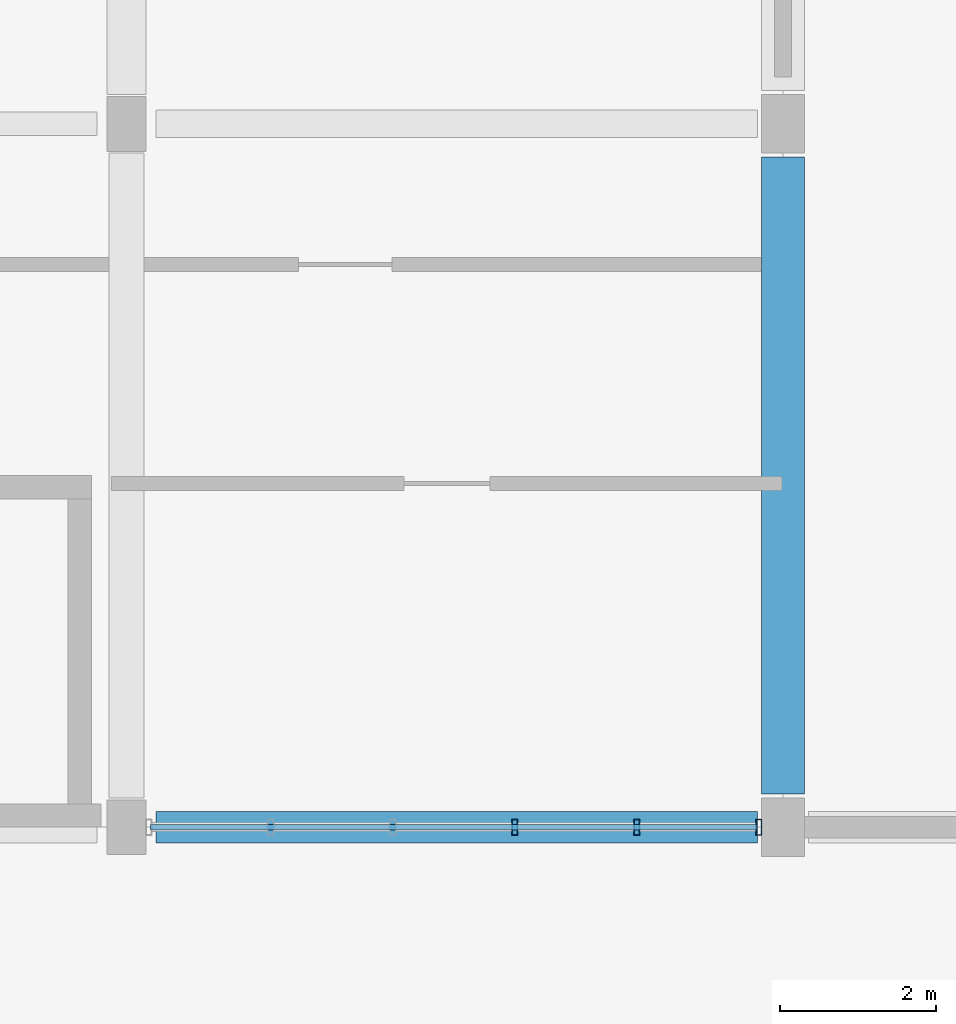
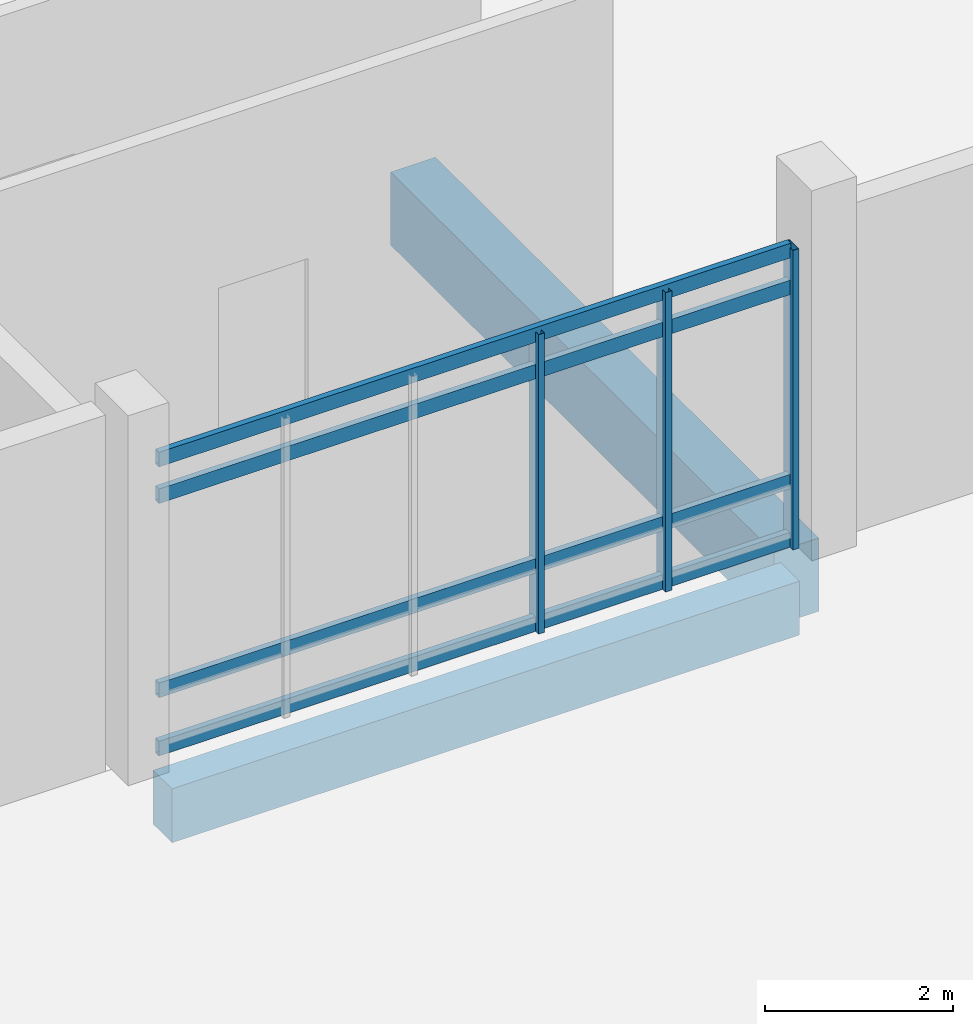
# One storey, part 60 of 95: 7 members, 2 beams, 1 element without a shape of its own.
"""IFC4 building model written with IfcOpenShell, lengths in metres."""

from ifc_helpers import new_model, si_unit, direction, frame, origin, origin_2d, place, context, subcontext, project, spatial, rectangle, hollow_rectangle, extrude, material, layer, layer_set, material_profile, profile_set, type_object, element, aggregate, save


model = new_model("IFC4")

# Units and contexts
model_context = context("Model", 3, precision=1e-05, world=origin(), true_north=direction((0.0, 1.0)))
body_context = subcontext(model_context, "Body", "Model", "MODEL_VIEW")
ifc_project = project(units=[si_unit("LENGTHUNIT", "METRE"), si_unit("AREAUNIT", "SQUARE_METRE"), si_unit("VOLUMEUNIT", "CUBIC_METRE"), si_unit("PLANEANGLEUNIT", "RADIAN"), si_unit("MASSUNIT", "GRAM", prefix="KILO")], contexts=[model_context])

# Site, building, storey
site_placement = place(None, origin())
site = spatial("IfcSite", under=ifc_project, at=site_placement, CompositionType="ELEMENT")
building_placement = place(site_placement, origin())
building = spatial("IfcBuilding", under=site, at=building_placement, Name="Vireocrest Preparatory School", CompositionType="ELEMENT")
storey_placement = place(building_placement, origin())
storey = spatial("IfcBuildingStorey", under=building, at=storey_placement, Name="L00", CompositionType="ELEMENT", Elevation=0.0)

# Curtain wall, members
ifc_material_1 = material(Name="Thermally broken aluminium EN AW-6063-T6", Category="aluminium")
ifc_layer = layer(ifc_material_1, 0.179931640625)
ifc_layer_set = layer_set([ifc_layer], Name="Thermally broken aluminium EN AW-6063-T6")
curtain_wall_type = type_object("IfcCurtainWallType", Name="Botanical Lab Glazing 8400x3400", PredefinedType="USERDEFINED", material=ifc_layer_set)
curtain_wall_placement = place(storey_placement, origin())
curtain_wall = element("IfcCurtainWall", 1, at=curtain_wall_placement, inside=storey, type_object=curtain_wall_type, Name="Curtain Wall CW15 CW_L00_CW15_1346_0180_000", ObjectType="CURTAIN WALL", PredefinedType="USERDEFINED")
ifc_material_profile_1 = material_profile(ifc_material_1, hollow_rectangle(XDim=0.074951171875, YDim=0.199951171875, WallThickness=0.0048828125, at=origin_2d()), Name="ALU 75x200x5")
ifc_profile_set_1 = profile_set([ifc_material_profile_1], Name="Thermally broken aluminium EN AW-6063-T6")
member_type_1 = type_object("IfcMemberType", Name="CW Mullion 75x200x5", PredefinedType="MULLION", material=ifc_profile_set_1)
member_1_placement = place(storey_placement, frame((139.367919921875, 18.0, 0.0), z_axis=(0.0, 0.0, 1.0), x_axis=(1.0, 0.0, 0.0)))
member_1 = element("IfcMember", 2, at=member_1_placement, type_object=member_type_1, Name="CW Mullion ML3 CW_L00_CW15_1346_0180_000-4", PredefinedType="MULLION", context=body_context, shape_type="SweptSolid", body=[
    extrude(hollow_rectangle(XDim=0.074951171875, YDim=0.199951171875, WallThickness=0.0048828125, at=origin_2d()), origin(), (0.0, 0.0, 1.0), 3.885009765625),
])
member_2_placement = place(storey_placement, frame((140.928955078125, 18.0, 0.0), z_axis=(0.0, 0.0, 1.0), x_axis=(1.0, 0.0, 0.0)))
member_2 = element("IfcMember", 3, at=member_2_placement, type_object=member_type_1, Name="CW Mullion ML3 CW_L00_CW15_1346_0180_000-5", PredefinedType="MULLION", context=body_context, shape_type="SweptSolid", body=[
    extrude(hollow_rectangle(XDim=0.074951171875, YDim=0.199951171875, WallThickness=0.0048828125, at=origin_2d()), origin(), (0.0, 0.0, 1.0), 3.885009765625),
])
member_3_placement = place(storey_placement, frame((142.489990234375, 18.0, 0.0), z_axis=(0.0, 0.0, 1.0), x_axis=(1.0, 0.0, 0.0)))
member_3 = element("IfcMember", 4, at=member_3_placement, type_object=member_type_1, Name="CW Mullion ML3 CW_L00_CW15_1346_0180_000-6", PredefinedType="MULLION", context=body_context, shape_type="SweptSolid", body=[
    extrude(hollow_rectangle(XDim=0.074951171875, YDim=0.199951171875, WallThickness=0.0048828125, at=origin_2d()), origin(), (0.0, 0.0, 1.0), 3.885009765625),
])
ifc_material_profile_2 = material_profile(ifc_material_1, hollow_rectangle(XDim=0.074951171875, YDim=0.18994140625, WallThickness=0.00390625, at=origin_2d()), Name="ALU 75x190x4")
ifc_profile_set_2 = profile_set([ifc_material_profile_2], Name="Thermally broken aluminium EN AW-6063-T6")
member_type_2 = type_object("IfcMemberType", Name="CW Transom 75x190x4", PredefinedType="USERDEFINED", material=ifc_profile_set_2)
member_4_placement = place(storey_placement, frame((134.7099609375, 18.0, 0.094970703125), z_axis=(1.0, 0.0, 0.0), x_axis=(0.0, 1.0, 0.0)))
member_4 = element("IfcMember", 5, at=member_4_placement, type_object=member_type_2, Name="CW Transom TR3 CW_L00_CW15_1346_0180_000-1", ObjectType="TRANSOM", PredefinedType="USERDEFINED", context=body_context, shape_type="SweptSolid", body=[
    extrude(hollow_rectangle(XDim=0.074951171875, YDim=0.18994140625, WallThickness=0.00390625, at=origin_2d()), origin(), (0.0, 0.0, 1.0), 7.755126953125),
])
member_5_placement = place(storey_placement, frame((134.7099609375, 18.0, 0.85009765625), z_axis=(1.0, 0.0, 0.0), x_axis=(0.0, 1.0, 0.0)))
member_5 = element("IfcMember", 6, at=member_5_placement, type_object=member_type_2, Name="CW Transom TR3 CW_L00_CW15_1346_0180_000-2", ObjectType="TRANSOM", PredefinedType="USERDEFINED", context=body_context, shape_type="SweptSolid", body=[
    extrude(hollow_rectangle(XDim=0.074951171875, YDim=0.18994140625, WallThickness=0.00390625, at=origin_2d()), origin(), (0.0, 0.0, 1.0), 7.755126953125),
])
member_6_placement = place(storey_placement, frame((134.7099609375, 18.0, 3.3701171875), z_axis=(1.0, 0.0, 0.0), x_axis=(0.0, 1.0, 0.0)))
member_6 = element("IfcMember", 7, at=member_6_placement, type_object=member_type_2, Name="CW Transom TR3 CW_L00_CW15_1346_0180_000-3", ObjectType="TRANSOM", PredefinedType="USERDEFINED", context=body_context, shape_type="SweptSolid", body=[
    extrude(hollow_rectangle(XDim=0.074951171875, YDim=0.18994140625, WallThickness=0.00390625, at=origin_2d()), origin(), (0.0, 0.0, 1.0), 7.755126953125),
])
member_7_placement = place(storey_placement, frame((134.7099609375, 18.0, 3.844970703125), z_axis=(1.0, 0.0, 0.0), x_axis=(0.0, 1.0, 0.0)))
member_7 = element("IfcMember", 8, at=member_7_placement, type_object=member_type_2, Name="CW Transom TR3 CW_L00_CW15_1346_0180_000-4", ObjectType="TRANSOM", PredefinedType="USERDEFINED", context=body_context, shape_type="SweptSolid", body=[
    extrude(hollow_rectangle(XDim=0.074951171875, YDim=0.18994140625, WallThickness=0.00390625, at=origin_2d()), origin(), (0.0, 0.0, 1.0), 7.755126953125),
])
aggregate(curtain_wall, [member_1, member_2, member_3, member_4, member_5, member_6, member_7])

# Beams
ifc_material_2 = material(Name="Concrete 40 MPa", Category="concrete")
ifc_material_profile_3 = material_profile(ifc_material_2, rectangle(XDim=0.39990234375, YDim=0.699951171875, at=origin_2d()), Name="RC 400x700")
ifc_profile_set_3 = profile_set([ifc_material_profile_3], Name="Concrete 40 MPa")
beam_type_1 = type_object("IfcBeamType", Name="RC Corridor Girder 400x700", PredefinedType="BEAM", material=ifc_profile_set_3)
beam_1_placement = place(storey_placement, frame((134.77490234375, 18.0, -0.699951171875), z_axis=(1.0, 0.0, 0.0), x_axis=(0.0, 1.0, 0.0)))
element("IfcBeam", 9, at=beam_1_placement, inside=storey, type_object=beam_type_1, Name="Primary Girder B08 L00-0024", PredefinedType="BEAM", context=body_context, shape_type="SweptSolid", body=[
    extrude(rectangle(XDim=0.39990234375, YDim=0.699951171875, at=origin_2d()), origin(), (0.0, 0.0, 1.0), 7.7001953125),
])
ifc_material_profile_4 = material_profile(ifc_material_2, rectangle(XDim=0.550048828125, YDim=0.949951171875, at=origin_2d()), Name="RC 550x950")
ifc_profile_set_4 = profile_set([ifc_material_profile_4], Name="Concrete 40 MPa")
beam_type_2 = type_object("IfcBeamType", Name="RC Setback Edge Girder 550x950", PredefinedType="BEAM", material=ifc_profile_set_4)
beam_2_placement = place(storey_placement, frame((142.800048828125, 18.425048828125, -0.85498046875), z_axis=(0.0, 1.0, 0.0), x_axis=(-1.0, 0.0, 0.0)))
element("IfcBeam", 10, at=beam_2_placement, inside=storey, type_object=beam_type_2, Name="Primary Girder B17 L00-0244", PredefinedType="BEAM", context=body_context, shape_type="SweptSolid", body=[
    extrude(rectangle(XDim=0.550048828125, YDim=0.949951171875, at=origin_2d()), origin(), (0.0, 0.0, 1.0), 8.14990234375),
])

save(model, "model.ifc")
